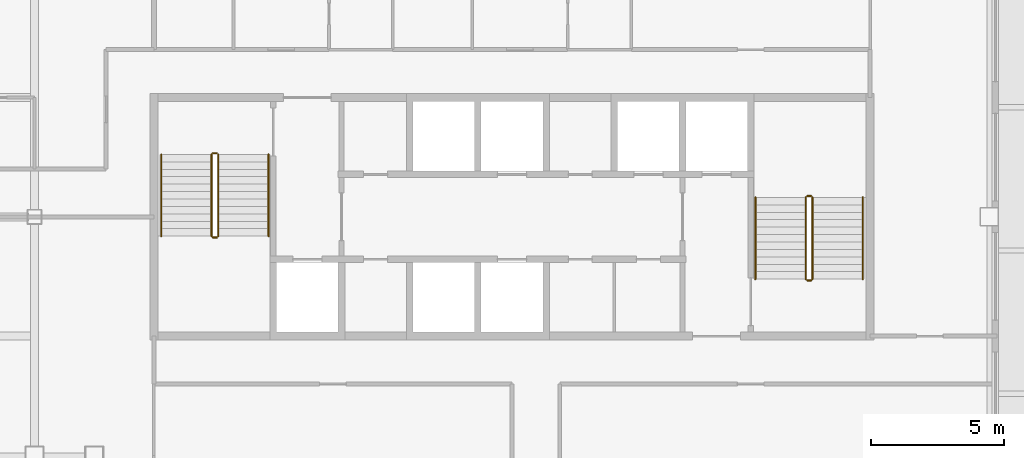
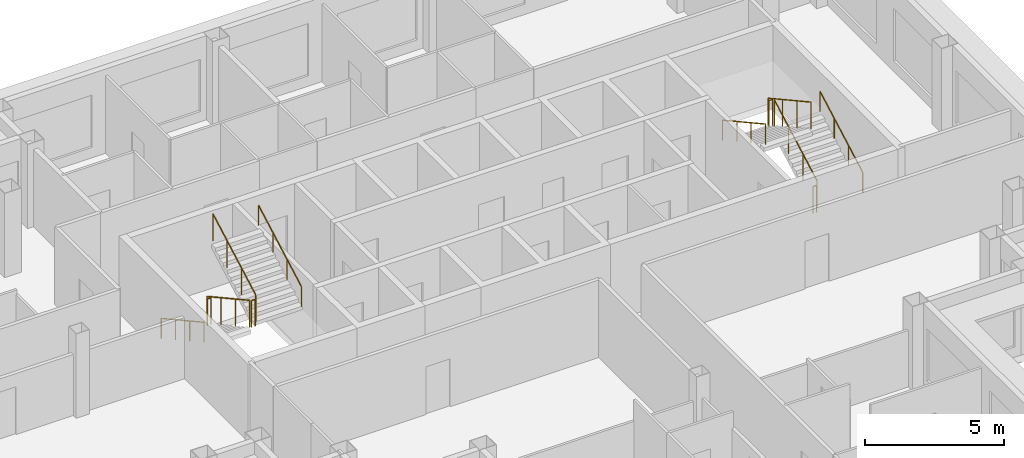
# One storey, part 12 of 12: 12 railings.
"""IFC4 building model written with IfcOpenShell, lengths in metres."""

import ifcopenshell
import ifcopenshell.guid

model = None  # the IFC model being written
_history = None  # IfcOwnerHistory: only IFC2X3 demands one
_inside = {}  # id of a spatial element -> (the spatial element, [elements in it])
_under = {}  # id of a project, library or spatial element -> (it, [spatial elements below it])
_declared = {}  # id of a project -> (the project, [libraries it declares])
_typed = {}  # id of a type object -> (the type object, [elements of that type])
_made_of = {}  # id of a material, layer set ... -> (it, [elements and type objects made of it])


def new_model(schema):
    """Start an empty IFC model of exactly this schema.

    Asked for "IFC4X3", IfcOpenShell would pick the latest addendum, in which some entities
    have other attributes; the version numbers below select the first issue.
    IFC2X3 requires an IfcOwnerHistory on every rooted entity: one is made here for all.
    """
    global model, _history
    if schema == "IFC4X3":
        model = ifcopenshell.file(schema_version=(4, 3, 0, 0))
    else:
        model = ifcopenshell.file(schema=schema)
    _inside.clear()
    _under.clear()
    _declared.clear()
    _typed.clear()
    _made_of.clear()
    _history = None
    if model.schema == "IFC2X3":
        org = make("IfcOrganization", Name="unknown")
        user = make(
            "IfcPersonAndOrganization",
            ThePerson=make("IfcPerson", FamilyName="unknown"),
            TheOrganization=org,
        )
        app = make(
            "IfcApplication",
            ApplicationDeveloper=org,
            Version="unknown",
            ApplicationFullName="unknown",
            ApplicationIdentifier="unknown",
        )
        _history = make(
            "IfcOwnerHistory",
            OwningUser=user,
            OwningApplication=app,
            ChangeAction="ADDED",
            CreationDate=0,
        )
    return model


def make(cls, **values):
    """One entity of the class cls with the attributes given. An attribute that is None is left unset."""
    return model.create_entity(
        cls, **{name: value for name, value in values.items() if value is not None}
    )


def rooted(cls, **values):
    """An entity with a GlobalId (a new one), such as an element, a storey or a relation."""
    return make(cls, GlobalId=ifcopenshell.guid.new(), OwnerHistory=_history, **values)


def si_unit(unit_type, name, prefix=None):
    """IfcSIUnit, for example si_unit("LENGTHUNIT", "METRE", prefix="MILLI")."""
    return make("IfcSIUnit", UnitType=unit_type, Prefix=prefix, Name=name)


def assignment(units):
    """IfcUnitAssignment: the units of a project."""
    return None if units is None else make("IfcUnitAssignment", Units=units)


def point(xyz):
    """IfcCartesianPoint."""
    return None if xyz is None else make("IfcCartesianPoint", Coordinates=xyz)


def direction(xyz):
    """IfcDirection."""
    return None if xyz is None else make("IfcDirection", DirectionRatios=xyz)


def frame(location, z_axis=None, x_axis=None):
    """IfcAxis2Placement3D, a coordinate frame: its origin and axes. An axis left out is left unset."""
    return make(
        "IfcAxis2Placement3D",
        Location=point(location),
        Axis=direction(z_axis),
        RefDirection=direction(x_axis),
    )


def frame_2d(location, x_axis=None):
    """IfcAxis2Placement2D, a coordinate frame in the plane: its origin and x axis."""
    return make(
        "IfcAxis2Placement2D", Location=point(location), RefDirection=direction(x_axis)
    )


def origin():
    """The frame at (0, 0, 0) with its axes left unset."""
    return frame((0.0, 0.0, 0.0))


def origin_2d():
    """The frame at (0, 0) in the plane with its x axis left unset."""
    return frame_2d((0.0, 0.0))


def place(relative_to, where):
    """IfcLocalPlacement: puts the frame where relative to a parent placement (None: the world)."""
    return make(
        "IfcLocalPlacement", PlacementRelTo=relative_to, RelativePlacement=where
    )


def context(
    kind, dimensions, precision=None, world=None, true_north=None, identifier=None
):
    """IfcGeometricRepresentationContext, for example the 3D "Model" context."""
    return make(
        "IfcGeometricRepresentationContext",
        ContextIdentifier=identifier,
        ContextType=kind,
        CoordinateSpaceDimension=dimensions,
        Precision=precision,
        WorldCoordinateSystem=world,
        TrueNorth=true_north,
    )


def subcontext(parent, identifier, kind, view, scale=None):
    """IfcGeometricRepresentationSubContext, for example "Body" below "Model"."""
    return make(
        "IfcGeometricRepresentationSubContext",
        ContextIdentifier=identifier,
        ContextType=kind,
        ParentContext=parent,
        TargetScale=scale,
        TargetView=view,
    )


def project(units=None, contexts=None):
    """IfcProject with its units and contexts."""
    return rooted(
        "IfcProject",
        Name="project",
        RepresentationContexts=contexts,
        UnitsInContext=assignment(units),
    )


def spatial(cls, under=None, at=None, **own):
    """A site, building, storey or space (cls), placed at a placement, below another one or the project."""
    s = rooted(cls, ObjectPlacement=at, **own)
    if under is not None:
        _under.setdefault(under.id(), (under, []))[1].append(s)
    return s


def profile(cls, at=None, kind="AREA", **sizes):
    """A parametric profile (cls). Its sizes go by their IFC names, for example OverallWidth=200.0."""
    return make(cls, ProfileType=kind, Position=at, **sizes)


def circle(**sizes):
    """IfcCircleProfileDef."""
    return profile("IfcCircleProfileDef", **sizes)


def extrude(swept, where, along, depth):
    """IfcExtrudedAreaSolid: the profile swept, set in the frame where, extruded along a direction by depth."""
    return make(
        "IfcExtrudedAreaSolid",
        SweptArea=swept,
        Position=where,
        ExtrudedDirection=direction(along),
        Depth=depth,
    )


def shape(context_of_items, identifier, shape_type, items):
    """IfcShapeRepresentation: the items that make up one representation, for example the "Body"."""
    return make(
        "IfcShapeRepresentation",
        ContextOfItems=context_of_items,
        RepresentationIdentifier=identifier,
        RepresentationType=shape_type,
        Items=items,
    )


def material(Name=None, Category=None):
    """IfcMaterial."""
    return make("IfcMaterial", Name=Name, Category=Category)


def made_of(thing, what):
    """Note that an element or type object is made of a material, layer set ...; save() writes the relation."""
    if what is not None:
        _made_of.setdefault(what.id(), (what, []))[1].append(thing)
    return thing


def type_object(cls, material=None, **own):
    """A type object (cls), such as IfcWallType, which elements share."""
    return made_of(rooted(cls, **own), material)


def element(
    cls,
    number,
    at=None,
    inside=None,
    cuts=None,
    type_object=None,
    material=None,
    context=None,
    identifier="Body",
    shape_type=None,
    held_by="IfcProductDefinitionShape",
    body=None,
    shapes=None,
    **own,
):
    """One element of the class cls, such as IfcWall. Its Tag is "e" and its number.

    at: its placement. inside: the storey or other place that contains it. cuts: it is an
    opening in that element (IfcRelVoidsElement). A single representation is given by context,
    identifier, shape_type and body (its items); several are given by shapes. held_by: the class
    of the entity that holds the representations. save() writes the other relations.
    """
    e = rooted(cls, Tag="e%d" % number, ObjectPlacement=at, **own)
    if body is not None:
        shapes = [shape(context, identifier, shape_type, body)]
    if shapes is not None:
        e.Representation = make(held_by, Representations=shapes)
    if inside is not None:
        _inside.setdefault(inside.id(), (inside, []))[1].append(e)
    if cuts is not None:
        rooted(
            "IfcRelVoidsElement", RelatingBuildingElement=cuts, RelatedOpeningElement=e
        )
    if type_object is not None:
        _typed.setdefault(type_object.id(), (type_object, []))[1].append(e)
    return made_of(e, material)


def aggregate(whole, parts):
    """IfcRelAggregates: a whole, such as a stair, and the parts it consists of."""
    return rooted("IfcRelAggregates", RelatingObject=whole, RelatedObjects=parts)


def save(model, path):
    """Write the relations noted so far, then the file.

    IfcRelAggregates (storeys below a building ...), IfcRelContainedInSpatialStructure (elements
    in a storey), IfcRelDefinesByType, IfcRelAssociatesMaterial and IfcRelDeclares: one each for
    every whole, place, type object, material and project.
    """
    for whole, parts in _under.values():
        aggregate(whole, parts)
    for where, things in _inside.values():
        rooted(
            "IfcRelContainedInSpatialStructure",
            RelatedElements=things,
            RelatingStructure=where,
        )
    for kind, things in _typed.values():
        rooted("IfcRelDefinesByType", RelatedObjects=things, RelatingType=kind)
    for what, things in _made_of.values():
        rooted("IfcRelAssociatesMaterial", RelatedObjects=things, RelatingMaterial=what)
    for by, libraries in _declared.values():
        rooted("IfcRelDeclares", RelatingContext=by, RelatedDefinitions=libraries)
    model.write(path)


model = new_model("IFC4")

# Units and contexts
model_context = context("Model", 3, precision=1e-05, world=origin(), true_north=direction((0.0, 1.0)))
body_context = subcontext(model_context, "Body", "Model", "MODEL_VIEW")
ifc_project = project(units=[si_unit("LENGTHUNIT", "METRE"), si_unit("AREAUNIT", "SQUARE_METRE"), si_unit("VOLUMEUNIT", "CUBIC_METRE"), si_unit("PLANEANGLEUNIT", "RADIAN"), si_unit("MASSUNIT", "GRAM", prefix="KILO")], contexts=[model_context])

# Site, building, storey
site_placement = place(None, origin())
site = spatial("IfcSite", under=ifc_project, at=site_placement, CompositionType="ELEMENT")
building_placement = place(site_placement, origin())
building = spatial("IfcBuilding", under=site, at=building_placement, Name="Caravel Reach Hotel and Residences", CompositionType="ELEMENT")
storey_placement = place(building_placement, frame((0.0, 0.0, 203.5)))
storey = spatial("IfcBuildingStorey", under=building, at=storey_placement, Name="L51", CompositionType="ELEMENT", Elevation=203.5)

# Railings
ifc_material_1 = material(Name="Steel balustrade with glass infill", Category="steel")
railing_type_1 = type_object("IfcRailingType", Name="Guard 1200", PredefinedType="GUARDRAIL", material=ifc_material_1)
railing_1_placement = place(storey_placement, frame((20.175048828125, 29.35009765625, 0.154052734375)))
element("IfcRailing", 1, at=railing_1_placement, inside=storey, type_object=railing_type_1, Name="L51 ST-A stair guard 1", PredefinedType="GUARDRAIL", context=body_context, shape_type="SweptSolid", body=[
    extrude(circle(Radius=0.02392578125, at=origin_2d()), frame((0.0, 0.0, 1.17578125), z_axis=(0.0, -0.875975380505, 0.482355815502), x_axis=(1.0, 0.0, 0.0)), (0.0, 0.0, 1.0), 3.51611328125),
    extrude(circle(Radius=0.02099609375, at=origin_2d()), origin(), (0.0, 0.0, 1.0), 1.15185546875),
    extrude(circle(Radius=0.02099609375, at=origin_2d()), frame((0.0, -1.026611328125, 0.5654296875)), (0.0, 0.0, 1.0), 1.15185546875),
    extrude(circle(Radius=0.02099609375, at=origin_2d()), frame((0.0, -2.053466796875, 1.130615234375)), (0.0, 0.0, 1.0), 1.15185546875),
    extrude(circle(Radius=0.02099609375, at=origin_2d()), frame((0.0, -3.080078125, 1.696044921875)), (0.0, 0.0, 1.0), 1.15185546875),
])
railing_2_placement = place(storey_placement, frame((20.22509765625, 26.219970703125, 1.85009765625)))
element("IfcRailing", 2, at=railing_2_placement, inside=storey, type_object=railing_type_1, Name="L51 ST-A stair guard 2", PredefinedType="GUARDRAIL", context=body_context, shape_type="SweptSolid", body=[
    extrude(circle(Radius=0.02392578125, at=origin_2d()), frame((0.0, 0.0, 1.17578125), z_axis=(1.0, 0.0, 0.0), x_axis=(0.0, 1.0, 0.0)), (0.0, 0.0, 1.0), 0.14990234375),
    extrude(circle(Radius=0.02099609375, at=origin_2d()), origin(), (0.0, 0.0, 1.0), 1.15185546875),
    extrude(circle(Radius=0.02099609375, at=origin_2d()), frame((0.14990234375, 0.0, 0.0)), (0.0, 0.0, 1.0), 1.15185546875),
])
railing_3_placement = place(storey_placement, frame((20.425048828125, 26.27001953125, 2.004150390625)))
element("IfcRailing", 3, at=railing_3_placement, inside=storey, type_object=railing_type_1, Name="L51 ST-A stair guard 3", PredefinedType="GUARDRAIL", context=body_context, shape_type="SweptSolid", body=[
    extrude(circle(Radius=0.02392578125, at=origin_2d()), frame((0.0, 0.0, 1.17578125), z_axis=(0.0, 0.876004717809, 0.482302534076), x_axis=(-1.0, 0.0, 0.0)), (0.0, 0.0, 1.0), 3.51611328125),
    extrude(circle(Radius=0.02099609375, at=origin_2d()), origin(), (0.0, 0.0, 1.0), 1.15185546875),
    extrude(circle(Radius=0.02099609375, at=origin_2d()), frame((0.0, 1.026611328125, 0.565185546875)), (0.0, 0.0, 1.0), 1.15185546875),
    extrude(circle(Radius=0.02099609375, at=origin_2d()), frame((0.0, 2.053466796875, 1.130615234375)), (0.0, 0.0, 1.0), 1.15185546875),
    extrude(circle(Radius=0.02099609375, at=origin_2d()), frame((0.0, 3.080078125, 1.69580078125)), (0.0, 0.0, 1.0), 1.15185546875),
])
railing_4_placement = place(storey_placement, frame((20.22509765625, 29.39990234375, 0.0)))
element("IfcRailing", 4, at=railing_4_placement, inside=storey, type_object=railing_type_1, Name="L51 ST-A stair guard 4", PredefinedType="GUARDRAIL", context=body_context, shape_type="SweptSolid", body=[
    extrude(circle(Radius=0.02392578125, at=origin_2d()), frame((0.0, 0.0, 1.17578125), z_axis=(1.0, 0.0, 0.0), x_axis=(0.0, 1.0, 0.0)), (0.0, 0.0, 1.0), 0.14990234375),
    extrude(circle(Radius=0.02099609375, at=origin_2d()), origin(), (0.0, 0.0, 1.0), 1.15185546875),
    extrude(circle(Radius=0.02099609375, at=origin_2d()), frame((0.14990234375, 0.0, 0.0)), (0.0, 0.0, 1.0), 1.15185546875),
])
railing_5_placement = place(storey_placement, frame((42.824951171875, 24.64990234375, 0.154052734375)))
element("IfcRailing", 5, at=railing_5_placement, inside=storey, type_object=railing_type_1, Name="L51 ST-B stair guard 1", PredefinedType="GUARDRAIL", context=body_context, shape_type="SweptSolid", body=[
    extrude(circle(Radius=0.02392578125, at=origin_2d()), frame((0.0, 0.0, 1.17578125), z_axis=(0.0, 0.875975380505, 0.482355815502), x_axis=(-1.0, 0.0, 0.0)), (0.0, 0.0, 1.0), 3.51611328125),
    extrude(circle(Radius=0.02099609375, at=origin_2d()), origin(), (0.0, 0.0, 1.0), 1.15185546875),
    extrude(circle(Radius=0.02099609375, at=origin_2d()), frame((0.0, 1.026611328125, 0.5654296875)), (0.0, 0.0, 1.0), 1.15185546875),
    extrude(circle(Radius=0.02099609375, at=origin_2d()), frame((0.0, 2.053466796875, 1.130615234375)), (0.0, 0.0, 1.0), 1.15185546875),
    extrude(circle(Radius=0.02099609375, at=origin_2d()), frame((0.0, 3.080078125, 1.696044921875)), (0.0, 0.0, 1.0), 1.15185546875),
])
railing_6_placement = place(storey_placement, frame((42.77490234375, 27.780029296875, 1.85009765625)))
element("IfcRailing", 6, at=railing_6_placement, inside=storey, type_object=railing_type_1, Name="L51 ST-B stair guard 2", PredefinedType="GUARDRAIL", context=body_context, shape_type="SweptSolid", body=[
    extrude(circle(Radius=0.02392578125, at=origin_2d()), frame((0.0, 0.0, 1.17578125), z_axis=(-1.0, 0.0, 0.0), x_axis=(0.0, -1.0, 0.0)), (0.0, 0.0, 1.0), 0.14990234375),
    extrude(circle(Radius=0.02099609375, at=origin_2d()), origin(), (0.0, 0.0, 1.0), 1.15185546875),
    extrude(circle(Radius=0.02099609375, at=origin_2d()), frame((-0.14990234375, 0.0, 0.0)), (0.0, 0.0, 1.0), 1.15185546875),
])
railing_7_placement = place(storey_placement, frame((42.574951171875, 27.72998046875, 2.004150390625)))
element("IfcRailing", 7, at=railing_7_placement, inside=storey, type_object=railing_type_1, Name="L51 ST-B stair guard 3", PredefinedType="GUARDRAIL", context=body_context, shape_type="SweptSolid", body=[
    extrude(circle(Radius=0.02392578125, at=origin_2d()), frame((0.0, 0.0, 1.17578125), z_axis=(0.0, -0.876004717809, 0.482302534076), x_axis=(1.0, 0.0, 0.0)), (0.0, 0.0, 1.0), 3.51611328125),
    extrude(circle(Radius=0.02099609375, at=origin_2d()), origin(), (0.0, 0.0, 1.0), 1.15185546875),
    extrude(circle(Radius=0.02099609375, at=origin_2d()), frame((0.0, -1.026611328125, 0.565185546875)), (0.0, 0.0, 1.0), 1.15185546875),
    extrude(circle(Radius=0.02099609375, at=origin_2d()), frame((0.0, -2.053466796875, 1.130615234375)), (0.0, 0.0, 1.0), 1.15185546875),
    extrude(circle(Radius=0.02099609375, at=origin_2d()), frame((0.0, -3.080078125, 1.69580078125)), (0.0, 0.0, 1.0), 1.15185546875),
])
railing_8_placement = place(storey_placement, frame((42.77490234375, 24.60009765625, 0.0)))
element("IfcRailing", 8, at=railing_8_placement, inside=storey, type_object=railing_type_1, Name="L51 ST-B stair guard 4", PredefinedType="GUARDRAIL", context=body_context, shape_type="SweptSolid", body=[
    extrude(circle(Radius=0.02392578125, at=origin_2d()), frame((0.0, 0.0, 1.17578125), z_axis=(-1.0, 0.0, 0.0), x_axis=(0.0, -1.0, 0.0)), (0.0, 0.0, 1.0), 0.14990234375),
    extrude(circle(Radius=0.02099609375, at=origin_2d()), origin(), (0.0, 0.0, 1.0), 1.15185546875),
    extrude(circle(Radius=0.02099609375, at=origin_2d()), frame((-0.14990234375, 0.0, 0.0)), (0.0, 0.0, 1.0), 1.15185546875),
])
ifc_material_2 = material(Name="Stainless steel handrail", Category="steel")
railing_type_2 = type_object("IfcRailingType", Name="Handrail 900", PredefinedType="HANDRAIL", material=ifc_material_2)
railing_9_placement = place(storey_placement, frame((18.27490234375, 29.35009765625, 0.154052734375)))
element("IfcRailing", 9, at=railing_9_placement, inside=storey, type_object=railing_type_2, Name="L51 ST-A stair handrail 1", PredefinedType="HANDRAIL", context=body_context, shape_type="SweptSolid", body=[
    extrude(circle(Radius=0.02392578125, at=origin_2d()), frame((0.0, 0.0, 0.8759765625), z_axis=(0.0, -0.875975380505, 0.482355815502), x_axis=(1.0, 0.0, 0.0)), (0.0, 0.0, 1.0), 3.51611328125),
    extrude(circle(Radius=0.02099609375, at=origin_2d()), origin(), (0.0, 0.0, 1.0), 0.851806640625),
    extrude(circle(Radius=0.02099609375, at=origin_2d()), frame((0.0, -1.026611328125, 0.5654296875)), (0.0, 0.0, 1.0), 0.851806640625),
    extrude(circle(Radius=0.02099609375, at=origin_2d()), frame((0.0, -2.053466796875, 1.130615234375)), (0.0, 0.0, 1.0), 0.851806640625),
    extrude(circle(Radius=0.02099609375, at=origin_2d()), frame((0.0, -3.080078125, 1.696044921875)), (0.0, 0.0, 1.0), 0.851806640625),
])
railing_10_placement = place(storey_placement, frame((22.324951171875, 26.27001953125, 2.004150390625)))
element("IfcRailing", 10, at=railing_10_placement, inside=storey, type_object=railing_type_2, Name="L51 ST-A stair handrail 2", PredefinedType="HANDRAIL", context=body_context, shape_type="SweptSolid", body=[
    extrude(circle(Radius=0.02392578125, at=origin_2d()), frame((0.0, 0.0, 0.8759765625), z_axis=(0.0, 0.876004717809, 0.482302534076), x_axis=(-1.0, 0.0, 0.0)), (0.0, 0.0, 1.0), 3.51611328125),
    extrude(circle(Radius=0.02099609375, at=origin_2d()), origin(), (0.0, 0.0, 1.0), 0.851806640625),
    extrude(circle(Radius=0.02099609375, at=origin_2d()), frame((0.0, 1.026611328125, 0.565185546875)), (0.0, 0.0, 1.0), 0.851806640625),
    extrude(circle(Radius=0.02099609375, at=origin_2d()), frame((0.0, 2.053466796875, 1.130615234375)), (0.0, 0.0, 1.0), 0.851806640625),
    extrude(circle(Radius=0.02099609375, at=origin_2d()), frame((0.0, 3.080078125, 1.69580078125)), (0.0, 0.0, 1.0), 0.851806640625),
])
railing_11_placement = place(storey_placement, frame((44.72509765625, 24.64990234375, 0.154052734375)))
element("IfcRailing", 11, at=railing_11_placement, inside=storey, type_object=railing_type_2, Name="L51 ST-B stair handrail 1", PredefinedType="HANDRAIL", context=body_context, shape_type="SweptSolid", body=[
    extrude(circle(Radius=0.02392578125, at=origin_2d()), frame((0.0, 0.0, 0.8759765625), z_axis=(0.0, 0.875975380505, 0.482355815502), x_axis=(-1.0, 0.0, 0.0)), (0.0, 0.0, 1.0), 3.51611328125),
    extrude(circle(Radius=0.02099609375, at=origin_2d()), origin(), (0.0, 0.0, 1.0), 0.851806640625),
    extrude(circle(Radius=0.02099609375, at=origin_2d()), frame((0.0, 1.026611328125, 0.5654296875)), (0.0, 0.0, 1.0), 0.851806640625),
    extrude(circle(Radius=0.02099609375, at=origin_2d()), frame((0.0, 2.053466796875, 1.130615234375)), (0.0, 0.0, 1.0), 0.851806640625),
    extrude(circle(Radius=0.02099609375, at=origin_2d()), frame((0.0, 3.080078125, 1.696044921875)), (0.0, 0.0, 1.0), 0.851806640625),
])
railing_12_placement = place(storey_placement, frame((40.675048828125, 27.72998046875, 2.004150390625)))
element("IfcRailing", 12, at=railing_12_placement, inside=storey, type_object=railing_type_2, Name="L51 ST-B stair handrail 2", PredefinedType="HANDRAIL", context=body_context, shape_type="SweptSolid", body=[
    extrude(circle(Radius=0.02392578125, at=origin_2d()), frame((0.0, 0.0, 0.8759765625), z_axis=(0.0, -0.876004717809, 0.482302534076), x_axis=(1.0, 0.0, 0.0)), (0.0, 0.0, 1.0), 3.51611328125),
    extrude(circle(Radius=0.02099609375, at=origin_2d()), origin(), (0.0, 0.0, 1.0), 0.851806640625),
    extrude(circle(Radius=0.02099609375, at=origin_2d()), frame((0.0, -1.026611328125, 0.565185546875)), (0.0, 0.0, 1.0), 0.851806640625),
    extrude(circle(Radius=0.02099609375, at=origin_2d()), frame((0.0, -2.053466796875, 1.130615234375)), (0.0, 0.0, 1.0), 0.851806640625),
    extrude(circle(Radius=0.02099609375, at=origin_2d()), frame((0.0, -3.080078125, 1.69580078125)), (0.0, 0.0, 1.0), 0.851806640625),
])

save(model, "model.ifc")
